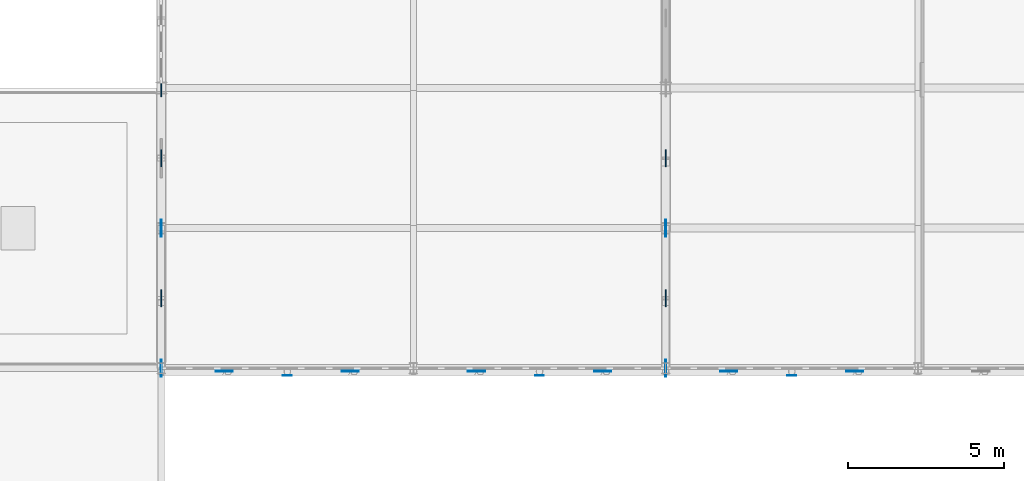
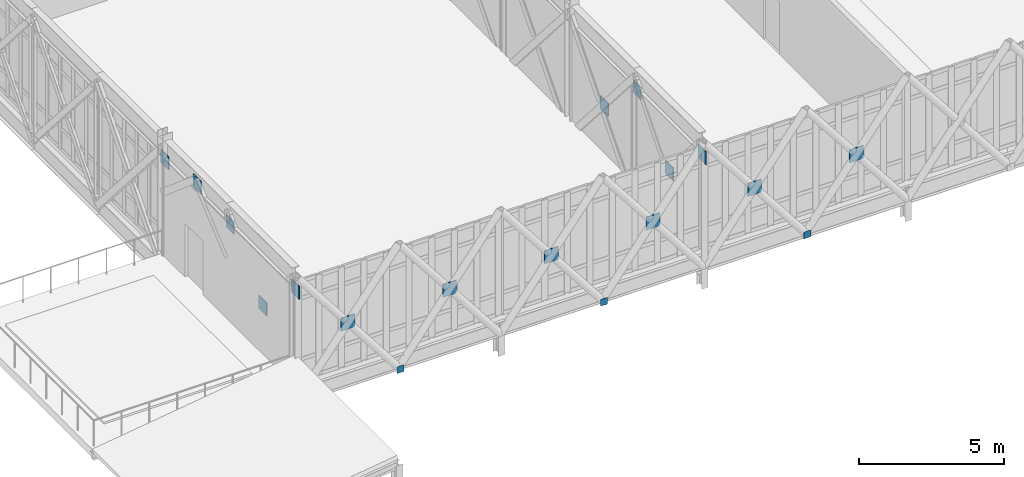
# One storey, part 82 of 107: 18 plates.
"""IFC4 building model written with IfcOpenShell, lengths in metres."""

from ifc_helpers import new_model, si_unit, direction, frame, origin, origin_2d, place, context, subcontext, project, spatial, rectangle, extrude, material, layer, layer_set, type_object, element, save


model = new_model("IFC4")

# Units and contexts
model_context = context("Model", 3, precision=1e-05, world=origin(), true_north=direction((0.0, 1.0)))
body_context = subcontext(model_context, "Body", "Model", "MODEL_VIEW")
ifc_project = project(units=[si_unit("LENGTHUNIT", "METRE"), si_unit("AREAUNIT", "SQUARE_METRE"), si_unit("VOLUMEUNIT", "CUBIC_METRE"), si_unit("PLANEANGLEUNIT", "RADIAN"), si_unit("MASSUNIT", "GRAM", prefix="KILO")], contexts=[model_context])

# Site, building, storey
site_placement = place(None, origin())
site = spatial("IfcSite", under=ifc_project, at=site_placement, CompositionType="ELEMENT")
building_placement = place(site_placement, origin())
building = spatial("IfcBuilding", under=site, at=building_placement, Name="Tarnveldt Square Police Headquarters", CompositionType="ELEMENT")
storey_placement = place(building_placement, frame((0.0, 0.0, 14.699951171875)))
storey = spatial("IfcBuildingStorey", under=building, at=storey_placement, Name="L03", CompositionType="ELEMENT", Elevation=14.699951171875)

# Plates
ifc_material = material(Name="Steel 350W", Category="steel")
ifc_layer_1 = layer(ifc_material, 0.011962890625)
ifc_layer_set_1 = layer_set([ifc_layer_1], Name="Steel 350W")
plate_type_1 = type_object("IfcPlateType", Name="PLT-CAP-12", PredefinedType="USERDEFINED", material=ifc_layer_set_1)
for number, where, z_axis, x_axis, name in (
    (1, (12.14990234375, 6.77001953125, -0.8828125), (0.0, 0.0, 1.0), (1.0, 0.0, 0.0), "Node KN-LT1 HSS End Cap Plate S-L03-1"),
    (2, (20.25, 6.77001953125, -0.8828125), (0.0, 0.0, 1.0), (1.0, 0.0, 0.0), "Node KN-LT1 HSS End Cap Plate S-L03-2"),
    (3, (28.35009765625, 6.77001953125, -0.8828125), (0.0, 0.0, 1.0), (1.0, 0.0, 0.0), "Node KN-LT1 HSS End Cap Plate S-L03-3"),
):
    element("IfcPlate", number, at=place(storey_placement, frame(where, z_axis=z_axis, x_axis=x_axis)), inside=storey, type_object=plate_type_1, Name=name, ObjectType="END CAP PLATE", PredefinedType="USERDEFINED", context=body_context, shape_type="SweptSolid", body=[
        extrude(rectangle(XDim=0.280029296875, YDim=0.011962890625, at=origin_2d()), origin(), (0.0, 0.0, 1.0), 0.280029296875),
    ])
ifc_layer_2 = layer(ifc_material, 0.02001953125)
ifc_layer_set_2 = layer_set([ifc_layer_2], Name="Steel 350W")
plate_type_2 = type_object("IfcPlateType", Name="PLT-GUS-20", PredefinedType="SHEET", material=ifc_layer_set_2)
for number, where, z_axis, x_axis, name in (
    (4, (8.10009765625, 11.5, 3.6318359375), (0.0, 0.0, 1.0), (1.0, 0.0, 0.0), "Node KN-CT1.6 Gusset Plate"),
    (5, (24.300048828125, 11.5, 3.6318359375), (0.0, 0.0, 1.0), (1.0, 0.0, 0.0), "Node KN-CT2.6 Gusset Plate"),
):
    element("IfcPlate", number, at=place(storey_placement, frame(where, z_axis=z_axis, x_axis=x_axis)), inside=storey, type_object=plate_type_2, Name=name, PredefinedType="SHEET", context=body_context, shape_type="SweptSolid", body=[
        extrude(rectangle(XDim=0.02001953125, YDim=0.550048828125, at=origin_2d()), origin(), (0.0, 0.0, 1.0), 0.550048828125),
    ])
ifc_layer_3 = layer(ifc_material, 0.031982421875)
ifc_layer_set_3 = layer_set([ifc_layer_3], Name="Steel 350W")
plate_type_3 = type_object("IfcPlateType", Name="PLT-GUS-32", PredefinedType="SHEET", material=ifc_layer_set_3)
for number, where, z_axis, x_axis, name in (
    (6, (8.10009765625, 7.0, 3.6318359375), (0.0, 0.0, 1.0), (1.0, 0.0, 0.0), "Node KN-CT1.7 Gusset Plate"),
    (7, (24.300048828125, 7.0, 3.6318359375), (0.0, 0.0, 1.0), (1.0, 0.0, 0.0), "Node KN-CT2.7 Gusset Plate"),
):
    element("IfcPlate", number, at=place(storey_placement, frame(where, z_axis=z_axis, x_axis=x_axis)), inside=storey, type_object=plate_type_3, Name=name, PredefinedType="SHEET", context=body_context, shape_type="SweptSolid", body=[
        extrude(rectangle(XDim=0.031982421875, YDim=0.550048828125, at=origin_2d()), origin(), (0.0, 0.0, 1.0), 0.550048828125),
    ])
for number, where, z_axis, x_axis, name in (
    (8, (10.125, 6.89990234375, 1.58203125), (0.0, 0.0, 1.0), (1.0, 0.0, 0.0), "Command Lantern S Lattice Crossing Gusset Plate 1.1"),
    (9, (14.175048828125, 6.89990234375, 1.58203125), (0.0, 0.0, 1.0), (1.0, 0.0, 0.0), "Command Lantern S Lattice Crossing Gusset Plate 1.2"),
    (10, (18.22509765625, 6.89990234375, 1.58203125), (0.0, 0.0, 1.0), (1.0, 0.0, 0.0), "Command Lantern S Lattice Crossing Gusset Plate 2.1"),
    (11, (22.27490234375, 6.89990234375, 1.58203125), (0.0, 0.0, 1.0), (1.0, 0.0, 0.0), "Command Lantern S Lattice Crossing Gusset Plate 2.2"),
    (12, (26.324951171875, 6.89990234375, 1.58203125), (0.0, 0.0, 1.0), (1.0, 0.0, 0.0), "Command Lantern S Lattice Crossing Gusset Plate 3.1"),
    (13, (30.375, 6.89990234375, 1.58203125), (0.0, 0.0, 1.0), (1.0, 0.0, 0.0), "Command Lantern S Lattice Crossing Gusset Plate 3.2"),
):
    element("IfcPlate", number, at=place(storey_placement, frame(where, z_axis=z_axis, x_axis=x_axis)), inside=storey, type_object=plate_type_3, Name=name, PredefinedType="SHEET", context=body_context, shape_type="SweptSolid", body=[
        extrude(rectangle(XDim=0.550048828125, YDim=0.031982421875, at=origin_2d()), origin(), (0.0, 0.0, 1.0), 0.550048828125),
    ])
ifc_layer_4 = layer(ifc_material, 0.0419921875)
ifc_layer_set_4 = layer_set([ifc_layer_4], Name="Steel 350W")
plate_type_4 = type_object("IfcPlateType", Name="PLT-GUS-42", PredefinedType="SHEET", material=ifc_layer_set_4)
for number, where, z_axis, x_axis, name in (
    (14, (8.10009765625, 13.75, 3.9619140625), (0.0, 0.0, 1.0), (1.0, 0.0, 0.0), "Cantilever Truss CT-1 L03 Portal Gusset Plate 5"),
    (15, (8.10009765625, 9.25, 1.58203125), (0.0, 0.0, 1.0), (1.0, 0.0, 0.0), "Cantilever Truss CT-1 L03 Centre Gusset Plate 6"),
    (16, (8.10009765625, 16.0, 3.6318359375), (0.0, 0.0, 1.0), (1.0, 0.0, 0.0), "Node KN-CT1.5 Gusset Plate"),
    (17, (24.300048828125, 13.75, 1.58203125), (0.0, 0.0, 1.0), (1.0, 0.0, 0.0), "Cantilever Truss CT-2 L03 Centre Gusset Plate 5"),
    (18, (24.300048828125, 9.25, 1.58203125), (0.0, 0.0, 1.0), (1.0, 0.0, 0.0), "Cantilever Truss CT-2 L03 Centre Gusset Plate 6"),
):
    element("IfcPlate", number, at=place(storey_placement, frame(where, z_axis=z_axis, x_axis=x_axis)), inside=storey, type_object=plate_type_4, Name=name, PredefinedType="SHEET", context=body_context, shape_type="SweptSolid", body=[
        extrude(rectangle(XDim=0.0419921875, YDim=0.550048828125, at=origin_2d()), origin(), (0.0, 0.0, 1.0), 0.550048828125),
    ])

save(model, "model.ifc")
